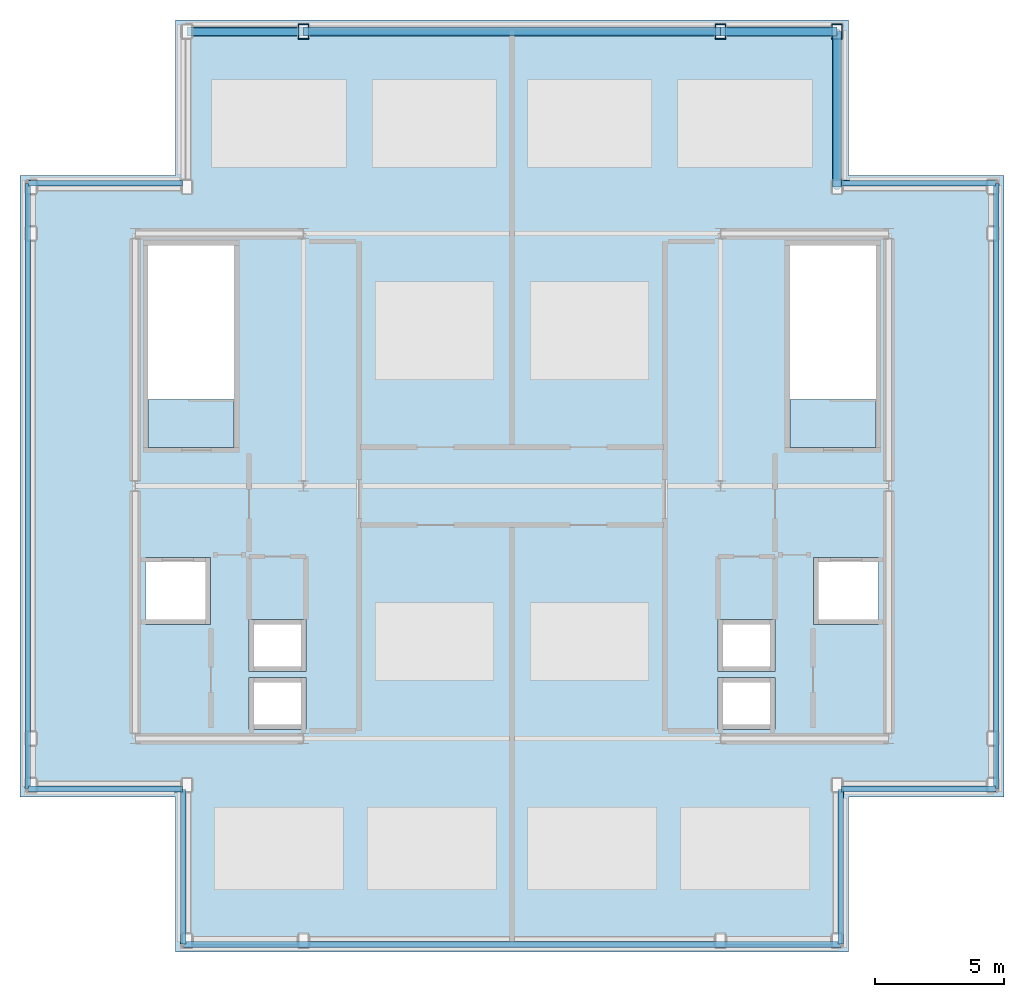
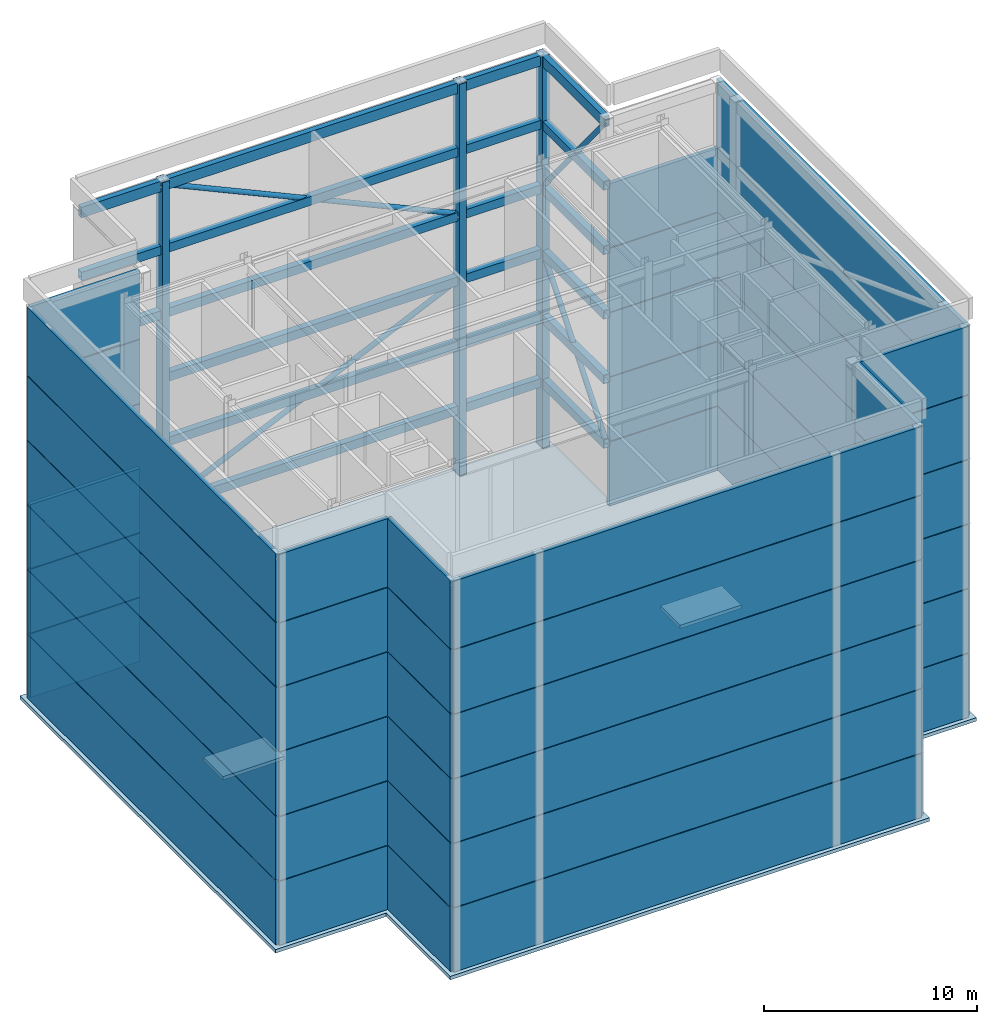
# One storey, part 3 of 8: 53 plates, 21 beams, 7 members, 3 slabs.
"""IFC4 building model written with IfcOpenShell, lengths in metres."""

from ifc_helpers import new_model, si_unit, direction, frame, origin, origin_2d, place, context, subcontext, project, spatial, polyline, rectangle, hollow_rectangle, hollow_circle, outline, extrude, material, layer, layer_set, material_profile, profile_set, type_object, element, save


model = new_model("IFC4")

# Units and contexts
model_context = context("Model", 3, precision=1e-05, world=origin(), true_north=direction((0.0, 1.0)))
body_context = subcontext(model_context, "Body", "Model", "MODEL_VIEW")
ifc_project = project(units=[si_unit("LENGTHUNIT", "METRE"), si_unit("AREAUNIT", "SQUARE_METRE"), si_unit("VOLUMEUNIT", "CUBIC_METRE"), si_unit("PLANEANGLEUNIT", "RADIAN"), si_unit("MASSUNIT", "GRAM", prefix="KILO")], contexts=[model_context])

# Site, building, storey
site_placement = place(None, origin())
site = spatial("IfcSite", under=ifc_project, at=site_placement, CompositionType="ELEMENT")
building_placement = place(site_placement, origin())
building = spatial("IfcBuilding", under=site, at=building_placement, Name="Brelmoor Portico Tower", CompositionType="ELEMENT")
storey_placement = place(building_placement, frame((0.0, 0.0, 289.199951171875)))
storey = spatial("IfcBuildingStorey", under=building, at=storey_placement, Name="L76", CompositionType="ELEMENT", Elevation=289.199951171875)

# Members
ifc_material_1 = material(Name="Steel Q355B", Category="steel")
ifc_material_profile_1 = material_profile(ifc_material_1, hollow_circle(Radius=0.136474609375, WallThickness=0.011962890625, at=origin_2d()), Name="CHS 273x12")
ifc_profile_set_1 = profile_set([ifc_material_profile_1], Name="Steel Q355B")
member_type_1 = type_object("IfcMemberType", Name="CROWN FRAME BRACE", PredefinedType="BRACE", material=ifc_profile_set_1)
member_1_placement = place(storey_placement, frame((-8.050048828125, 17.550048828125, 3.699951171875), z_axis=(0.908616793884, 0.0, 0.417630844015), x_axis=(0.0, 1.0, 0.0)))
element("IfcMember", 1, at=member_1_placement, inside=storey, type_object=member_type_1, Name="CROWN FRAME Wind Brace 06A", PredefinedType="BRACE", context=body_context, shape_type="SweptSolid", body=[
    extrude(hollow_circle(Radius=0.136474609375, WallThickness=0.011962890625, at=origin_2d()), origin(), (0.0, 0.0, 1.0), 17.71923828125),
])
member_2_placement = place(storey_placement, frame((8.050048828125, 17.550048828125, 14.800048828125), z_axis=(-0.909686870958, 0.0, 0.415294831181), x_axis=(0.0, -1.0, 0.0)))
element("IfcMember", 2, at=member_2_placement, inside=storey, type_object=member_type_1, Name="CROWN FRAME Wind Brace 06B", PredefinedType="BRACE", context=body_context, shape_type="SweptSolid", body=[
    extrude(hollow_circle(Radius=0.136474609375, WallThickness=0.011962890625, at=origin_2d()), origin(), (0.0, 0.0, 1.0), 17.698486328125),
])
member_3_placement = place(storey_placement, frame((12.550048828125, 11.550048828125, 3.699951171875), z_axis=(0.0, 0.629794436495, 0.776761847518), x_axis=(-1.0, 0.0, 0.0)))
element("IfcMember", 3, at=member_3_placement, inside=storey, type_object=member_type_1, Name="CROWN FRAME Wind Brace 11A", PredefinedType="BRACE", context=body_context, shape_type="SweptSolid", body=[
    extrude(hollow_circle(Radius=0.136474609375, WallThickness=0.011962890625, at=origin_2d()), origin(), (0.0, 0.0, 1.0), 9.52685546875),
])
member_4_placement = place(storey_placement, frame((12.550048828125, 17.550048828125, 14.800048828125), z_axis=(0.0, -0.632371447832, 0.774665316099), x_axis=(1.0, 0.0, 0.0)))
element("IfcMember", 4, at=member_4_placement, inside=storey, type_object=member_type_1, Name="CROWN FRAME Wind Brace 11B", PredefinedType="BRACE", context=body_context, shape_type="SweptSolid", body=[
    extrude(hollow_circle(Radius=0.136474609375, WallThickness=0.011962890625, at=origin_2d()), origin(), (0.0, 0.0, 1.0), 9.488037109375),
])
ifc_material_profile_2 = material_profile(ifc_material_1, hollow_rectangle(XDim=0.39990234375, YDim=0.60009765625, WallThickness=0.02392578125, at=origin_2d()), Name="RHS 400x600x24")
ifc_profile_set_2 = profile_set([ifc_material_profile_2], Name="Steel Q355B")
member_type_2 = type_object("IfcMemberType", Name="CROWN FRAME POST", PredefinedType="POST", material=ifc_profile_set_2)
for number, where, z_axis, x_axis, name in (
    (5, (-8.050048828125, 17.550048828125, 0.0), (0.0, 0.0, 1.0), (1.0, 0.0, 0.0), "CROWN FRAME Vertical Post PN02"),
    (6, (8.050048828125, 17.550048828125, 0.0), (0.0, 0.0, 1.0), (1.0, 0.0, 0.0), "CROWN FRAME Vertical Post PN03"),
    (7, (12.550048828125, 17.550048828125, 0.0), (0.0, 0.0, 1.0), (1.0, 0.0, 0.0), "CROWN FRAME Vertical Post PN04"),
):
    element("IfcMember", number, at=place(storey_placement, frame(where, z_axis=z_axis, x_axis=x_axis)), inside=storey, type_object=member_type_2, Name=name, PredefinedType="POST", context=body_context, shape_type="SweptSolid", body=[
        extrude(hollow_rectangle(XDim=0.39990234375, YDim=0.60009765625, WallThickness=0.02392578125, at=origin_2d()), origin(), (0.0, 0.0, 1.0), 22.449951171875),
    ])

# Beams
ifc_material_profile_3 = material_profile(ifc_material_1, hollow_rectangle(XDim=0.35009765625, YDim=0.5, WallThickness=0.02001953125, at=origin_2d()), Name="RHS 350x500x20")
ifc_profile_set_3 = profile_set([ifc_material_profile_3], Name="Steel Q355B")
beam_type_1 = type_object("IfcBeamType", Name="CROWN FRAME RING", PredefinedType="SPANDREL", material=ifc_profile_set_3)
beam_1_placement = place(storey_placement, frame((-8.050048828125, 17.550048828125, 3.699951171875), z_axis=(1.0, 0.0, 0.0), x_axis=(0.0, 1.0, 0.0)))
element("IfcBeam", 8, at=beam_1_placement, inside=storey, type_object=beam_type_1, Name="CROWN FRAME Ring Beam Tier 1-09", PredefinedType="SPANDREL", context=body_context, shape_type="SweptSolid", body=[
    extrude(hollow_rectangle(XDim=0.35009765625, YDim=0.5, WallThickness=0.02001953125, at=origin_2d()), origin(), (0.0, 0.0, 1.0), 16.10009765625),
])
beam_2_placement = place(storey_placement, frame((8.050048828125, 17.550048828125, 3.699951171875), z_axis=(1.0, 0.0, 0.0), x_axis=(0.0, 1.0, 0.0)))
element("IfcBeam", 9, at=beam_2_placement, inside=storey, type_object=beam_type_1, Name="CROWN FRAME Ring Beam Tier 1-10", PredefinedType="SPANDREL", context=body_context, shape_type="SweptSolid", body=[
    extrude(hollow_rectangle(XDim=0.35009765625, YDim=0.5, WallThickness=0.02001953125, at=origin_2d()), origin(), (0.0, 0.0, 1.0), 4.5),
])
beam_3_placement = place(storey_placement, frame((12.550048828125, 11.550048828125, 3.699951171875), z_axis=(0.0, 1.0, 0.0), x_axis=(-1.0, 0.0, 0.0)))
element("IfcBeam", 10, at=beam_3_placement, inside=storey, type_object=beam_type_1, Name="CROWN FRAME Ring Beam Tier 1-17", PredefinedType="SPANDREL", context=body_context, shape_type="SweptSolid", body=[
    extrude(hollow_rectangle(XDim=0.35009765625, YDim=0.5, WallThickness=0.02001953125, at=origin_2d()), origin(), (0.0, 0.0, 1.0), 6.0),
])
beam_4_placement = place(storey_placement, frame((-8.050048828125, 17.550048828125, 7.400146484375), z_axis=(1.0, 0.0, 0.0), x_axis=(0.0, 1.0, 0.0)))
element("IfcBeam", 11, at=beam_4_placement, inside=storey, type_object=beam_type_1, Name="CROWN FRAME Ring Beam Tier 2-09", PredefinedType="SPANDREL", context=body_context, shape_type="SweptSolid", body=[
    extrude(hollow_rectangle(XDim=0.35009765625, YDim=0.5, WallThickness=0.02001953125, at=origin_2d()), origin(), (0.0, 0.0, 1.0), 16.10009765625),
])
beam_5_placement = place(storey_placement, frame((8.050048828125, 17.550048828125, 7.400146484375), z_axis=(1.0, 0.0, 0.0), x_axis=(0.0, 1.0, 0.0)))
element("IfcBeam", 12, at=beam_5_placement, inside=storey, type_object=beam_type_1, Name="CROWN FRAME Ring Beam Tier 2-10", PredefinedType="SPANDREL", context=body_context, shape_type="SweptSolid", body=[
    extrude(hollow_rectangle(XDim=0.35009765625, YDim=0.5, WallThickness=0.02001953125, at=origin_2d()), origin(), (0.0, 0.0, 1.0), 4.5),
])
beam_6_placement = place(storey_placement, frame((12.550048828125, 11.550048828125, 7.400146484375), z_axis=(0.0, 1.0, 0.0), x_axis=(-1.0, 0.0, 0.0)))
element("IfcBeam", 13, at=beam_6_placement, inside=storey, type_object=beam_type_1, Name="CROWN FRAME Ring Beam Tier 2-17", PredefinedType="SPANDREL", context=body_context, shape_type="SweptSolid", body=[
    extrude(hollow_rectangle(XDim=0.35009765625, YDim=0.5, WallThickness=0.02001953125, at=origin_2d()), origin(), (0.0, 0.0, 1.0), 6.0),
])
beam_7_placement = place(storey_placement, frame((-8.050048828125, 17.550048828125, 11.10009765625), z_axis=(1.0, 0.0, 0.0), x_axis=(0.0, 1.0, 0.0)))
element("IfcBeam", 14, at=beam_7_placement, inside=storey, type_object=beam_type_1, Name="CROWN FRAME Ring Beam Tier 3-09", PredefinedType="SPANDREL", context=body_context, shape_type="SweptSolid", body=[
    extrude(hollow_rectangle(XDim=0.35009765625, YDim=0.5, WallThickness=0.02001953125, at=origin_2d()), origin(), (0.0, 0.0, 1.0), 16.10009765625),
])
beam_8_placement = place(storey_placement, frame((8.050048828125, 17.550048828125, 11.10009765625), z_axis=(1.0, 0.0, 0.0), x_axis=(0.0, 1.0, 0.0)))
element("IfcBeam", 15, at=beam_8_placement, inside=storey, type_object=beam_type_1, Name="CROWN FRAME Ring Beam Tier 3-10", PredefinedType="SPANDREL", context=body_context, shape_type="SweptSolid", body=[
    extrude(hollow_rectangle(XDim=0.35009765625, YDim=0.5, WallThickness=0.02001953125, at=origin_2d()), origin(), (0.0, 0.0, 1.0), 4.5),
])
beam_9_placement = place(storey_placement, frame((12.550048828125, 11.550048828125, 11.10009765625), z_axis=(0.0, 1.0, 0.0), x_axis=(-1.0, 0.0, 0.0)))
element("IfcBeam", 16, at=beam_9_placement, inside=storey, type_object=beam_type_1, Name="CROWN FRAME Ring Beam Tier 3-17", PredefinedType="SPANDREL", context=body_context, shape_type="SweptSolid", body=[
    extrude(hollow_rectangle(XDim=0.35009765625, YDim=0.5, WallThickness=0.02001953125, at=origin_2d()), origin(), (0.0, 0.0, 1.0), 6.0),
])
beam_10_placement = place(storey_placement, frame((-12.550048828125, 17.550048828125, 14.800048828125), z_axis=(1.0, 0.0, 0.0), x_axis=(0.0, 1.0, 0.0)))
element("IfcBeam", 17, at=beam_10_placement, inside=storey, type_object=beam_type_1, Name="CROWN FRAME Ring Beam Tier 4-08", PredefinedType="SPANDREL", context=body_context, shape_type="SweptSolid", body=[
    extrude(hollow_rectangle(XDim=0.35009765625, YDim=0.5, WallThickness=0.02001953125, at=origin_2d()), origin(), (0.0, 0.0, 1.0), 4.5),
])
beam_11_placement = place(storey_placement, frame((-8.050048828125, 17.550048828125, 14.800048828125), z_axis=(1.0, 0.0, 0.0), x_axis=(0.0, 1.0, 0.0)))
element("IfcBeam", 18, at=beam_11_placement, inside=storey, type_object=beam_type_1, Name="CROWN FRAME Ring Beam Tier 4-09", PredefinedType="SPANDREL", context=body_context, shape_type="SweptSolid", body=[
    extrude(hollow_rectangle(XDim=0.35009765625, YDim=0.5, WallThickness=0.02001953125, at=origin_2d()), origin(), (0.0, 0.0, 1.0), 16.10009765625),
])
beam_12_placement = place(storey_placement, frame((8.050048828125, 17.550048828125, 14.800048828125), z_axis=(1.0, 0.0, 0.0), x_axis=(0.0, 1.0, 0.0)))
element("IfcBeam", 19, at=beam_12_placement, inside=storey, type_object=beam_type_1, Name="CROWN FRAME Ring Beam Tier 4-10", PredefinedType="SPANDREL", context=body_context, shape_type="SweptSolid", body=[
    extrude(hollow_rectangle(XDim=0.35009765625, YDim=0.5, WallThickness=0.02001953125, at=origin_2d()), origin(), (0.0, 0.0, 1.0), 4.5),
])
beam_13_placement = place(storey_placement, frame((12.550048828125, 11.550048828125, 14.800048828125), z_axis=(0.0, 1.0, 0.0), x_axis=(-1.0, 0.0, 0.0)))
element("IfcBeam", 20, at=beam_13_placement, inside=storey, type_object=beam_type_1, Name="CROWN FRAME Ring Beam Tier 4-17", PredefinedType="SPANDREL", context=body_context, shape_type="SweptSolid", body=[
    extrude(hollow_rectangle(XDim=0.35009765625, YDim=0.5, WallThickness=0.02001953125, at=origin_2d()), origin(), (0.0, 0.0, 1.0), 6.0),
])
beam_14_placement = place(storey_placement, frame((-12.550048828125, 17.550048828125, 18.5), z_axis=(1.0, 0.0, 0.0), x_axis=(0.0, 1.0, 0.0)))
element("IfcBeam", 21, at=beam_14_placement, inside=storey, type_object=beam_type_1, Name="CROWN FRAME Ring Beam Tier 5-08", PredefinedType="SPANDREL", context=body_context, shape_type="SweptSolid", body=[
    extrude(hollow_rectangle(XDim=0.35009765625, YDim=0.5, WallThickness=0.02001953125, at=origin_2d()), origin(), (0.0, 0.0, 1.0), 4.5),
])
beam_15_placement = place(storey_placement, frame((-8.050048828125, 17.550048828125, 18.5), z_axis=(1.0, 0.0, 0.0), x_axis=(0.0, 1.0, 0.0)))
element("IfcBeam", 22, at=beam_15_placement, inside=storey, type_object=beam_type_1, Name="CROWN FRAME Ring Beam Tier 5-09", PredefinedType="SPANDREL", context=body_context, shape_type="SweptSolid", body=[
    extrude(hollow_rectangle(XDim=0.35009765625, YDim=0.5, WallThickness=0.02001953125, at=origin_2d()), origin(), (0.0, 0.0, 1.0), 16.10009765625),
])
beam_16_placement = place(storey_placement, frame((8.050048828125, 17.550048828125, 18.5), z_axis=(1.0, 0.0, 0.0), x_axis=(0.0, 1.0, 0.0)))
element("IfcBeam", 23, at=beam_16_placement, inside=storey, type_object=beam_type_1, Name="CROWN FRAME Ring Beam Tier 5-10", PredefinedType="SPANDREL", context=body_context, shape_type="SweptSolid", body=[
    extrude(hollow_rectangle(XDim=0.35009765625, YDim=0.5, WallThickness=0.02001953125, at=origin_2d()), origin(), (0.0, 0.0, 1.0), 4.5),
])
beam_17_placement = place(storey_placement, frame((12.550048828125, 11.550048828125, 18.5), z_axis=(0.0, 1.0, 0.0), x_axis=(-1.0, 0.0, 0.0)))
element("IfcBeam", 24, at=beam_17_placement, inside=storey, type_object=beam_type_1, Name="CROWN FRAME Ring Beam Tier 5-17", PredefinedType="SPANDREL", context=body_context, shape_type="SweptSolid", body=[
    extrude(hollow_rectangle(XDim=0.35009765625, YDim=0.5, WallThickness=0.02001953125, at=origin_2d()), origin(), (0.0, 0.0, 1.0), 6.0),
])
ifc_material_profile_4 = material_profile(ifc_material_1, hollow_rectangle(XDim=0.300048828125, YDim=0.60009765625, WallThickness=0.02001953125, at=origin_2d()), Name="RHS 300x600x20")
ifc_profile_set_4 = profile_set([ifc_material_profile_4], Name="Steel Q355B")
beam_type_2 = type_object("IfcBeamType", Name="CROWN FRAME TIE", PredefinedType="BEAM", material=ifc_profile_set_4)
beam_18_placement = place(storey_placement, frame((-12.550048828125, 17.550048828125, 22.150146484375), z_axis=(1.0, 0.0, 0.0), x_axis=(0.0, 1.0, 0.0)))
element("IfcBeam", 25, at=beam_18_placement, inside=storey, type_object=beam_type_2, Name="CROWN FRAME Ring Beam Tier 6-08", PredefinedType="BEAM", context=body_context, shape_type="SweptSolid", body=[
    extrude(hollow_rectangle(XDim=0.300048828125, YDim=0.60009765625, WallThickness=0.02001953125, at=origin_2d()), origin(), (0.0, 0.0, 1.0), 4.5),
])
beam_19_placement = place(storey_placement, frame((-8.050048828125, 17.550048828125, 22.150146484375), z_axis=(1.0, 0.0, 0.0), x_axis=(0.0, 1.0, 0.0)))
element("IfcBeam", 26, at=beam_19_placement, inside=storey, type_object=beam_type_2, Name="CROWN FRAME Ring Beam Tier 6-09", PredefinedType="BEAM", context=body_context, shape_type="SweptSolid", body=[
    extrude(hollow_rectangle(XDim=0.300048828125, YDim=0.60009765625, WallThickness=0.02001953125, at=origin_2d()), origin(), (0.0, 0.0, 1.0), 16.10009765625),
])
beam_20_placement = place(storey_placement, frame((8.050048828125, 17.550048828125, 22.150146484375), z_axis=(1.0, 0.0, 0.0), x_axis=(0.0, 1.0, 0.0)))
element("IfcBeam", 27, at=beam_20_placement, inside=storey, type_object=beam_type_2, Name="CROWN FRAME Ring Beam Tier 6-10", PredefinedType="BEAM", context=body_context, shape_type="SweptSolid", body=[
    extrude(hollow_rectangle(XDim=0.300048828125, YDim=0.60009765625, WallThickness=0.02001953125, at=origin_2d()), origin(), (0.0, 0.0, 1.0), 4.5),
])
beam_21_placement = place(storey_placement, frame((12.550048828125, 11.550048828125, 22.150146484375), z_axis=(0.0, 1.0, 0.0), x_axis=(-1.0, 0.0, 0.0)))
element("IfcBeam", 28, at=beam_21_placement, inside=storey, type_object=beam_type_2, Name="CROWN FRAME Ring Beam Tier 6-17", PredefinedType="BEAM", context=body_context, shape_type="SweptSolid", body=[
    extrude(hollow_rectangle(XDim=0.300048828125, YDim=0.60009765625, WallThickness=0.02001953125, at=origin_2d()), origin(), (0.0, 0.0, 1.0), 6.0),
])

# Plates
ifc_material_2 = material(Name="Pale Champagne Anodised Aluminium Crown Screen", Category="aluminium")
ifc_layer_1 = layer(ifc_material_2, 0.06494140625)
ifc_layer_set_1 = layer_set([ifc_layer_1], Name="Pale Champagne Anodised Aluminium Crown Screen")
plate_type = type_object("IfcPlateType", Name="PT-CROWN-LOUVRE", PredefinedType="SHEET", material=ifc_layer_set_1)
plate_1_placement = place(storey_placement, frame((0.0, -17.699951171875, 0.02001953125), z_axis=(0.0, 0.0, 1.0), x_axis=(1.0, 0.0, 0.0)))
element("IfcPlate", 29, at=plate_1_placement, inside=storey, type_object=plate_type, Name="CROWN LOUVRE SCREEN Plate Tier 1 S", PredefinedType="SHEET", context=body_context, shape_type="SweptSolid", body=[
    extrude(rectangle(XDim=25.360107421875, YDim=0.219970703125, at=origin_2d()), origin(), (0.0, 0.0, 1.0), 3.659912109375),
])
for number, where, z_axis, x_axis, name in (
    (30, (-18.699951171875, 0.0, 0.02001953125), (0.0, 0.0, 1.0), (0.0, 1.0, 0.0), "CROWN LOUVRE SCREEN Plate Tier 1 W"),
    (31, (18.699951171875, 0.0, 0.02001953125), (0.0, 0.0, 1.0), (0.0, 1.0, 0.0), "CROWN LOUVRE SCREEN Plate Tier 1 E"),
):
    element("IfcPlate", number, at=place(storey_placement, frame(where, z_axis=z_axis, x_axis=x_axis)), inside=storey, type_object=plate_type, Name=name, PredefinedType="SHEET", context=body_context, shape_type="SweptSolid", body=[
        extrude(rectangle(XDim=23.360107421875, YDim=0.219970703125, at=origin_2d()), origin(), (0.0, 0.0, 1.0), 3.659912109375),
    ])
for number, where, z_axis, x_axis, name in (
    (32, (-12.699951171875, -14.699951171875, 0.02001953125), (0.0, 0.0, 1.0), (0.0, 1.0, 0.0), "CROWN LOUVRE SCREEN Plate Tier 1 SW1"),
    (33, (-15.699951171875, -11.699951171875, 0.02001953125), (0.0, 0.0, 1.0), (1.0, 0.0, 0.0), "CROWN LOUVRE SCREEN Plate Tier 1 SW2"),
    (34, (12.699951171875, -14.699951171875, 0.02001953125), (0.0, 0.0, 1.0), (0.0, 1.0, 0.0), "CROWN LOUVRE SCREEN Plate Tier 1 SE1"),
    (35, (15.699951171875, -11.699951171875, 0.02001953125), (0.0, 0.0, 1.0), (1.0, 0.0, 0.0), "CROWN LOUVRE SCREEN Plate Tier 1 SE2"),
    (36, (-15.699951171875, 11.699951171875, 0.02001953125), (0.0, 0.0, 1.0), (1.0, 0.0, 0.0), "CROWN LOUVRE SCREEN Plate Tier 1 NW2"),
    (37, (15.699951171875, 11.699951171875, 0.02001953125), (0.0, 0.0, 1.0), (1.0, 0.0, 0.0), "CROWN LOUVRE SCREEN Plate Tier 1 NE2"),
):
    element("IfcPlate", number, at=place(storey_placement, frame(where, z_axis=z_axis, x_axis=x_axis)), inside=storey, type_object=plate_type, Name=name, PredefinedType="SHEET", context=body_context, shape_type="SweptSolid", body=[
        extrude(rectangle(XDim=5.9599609375, YDim=0.219970703125, at=origin_2d()), origin(), (0.0, 0.0, 1.0), 3.659912109375),
    ])
plate_2_placement = place(storey_placement, frame((0.0, -17.699951171875, 3.72021484375), z_axis=(0.0, 0.0, 1.0), x_axis=(1.0, 0.0, 0.0)))
element("IfcPlate", 38, at=plate_2_placement, inside=storey, type_object=plate_type, Name="CROWN LOUVRE SCREEN Plate Tier 2 S", PredefinedType="SHEET", context=body_context, shape_type="SweptSolid", body=[
    extrude(rectangle(XDim=25.360107421875, YDim=0.219970703125, at=origin_2d()), origin(), (0.0, 0.0, 1.0), 3.659912109375),
])
for number, where, z_axis, x_axis, name in (
    (39, (-18.699951171875, 0.0, 3.72021484375), (0.0, 0.0, 1.0), (0.0, 1.0, 0.0), "CROWN LOUVRE SCREEN Plate Tier 2 W"),
    (40, (18.699951171875, 0.0, 3.72021484375), (0.0, 0.0, 1.0), (0.0, 1.0, 0.0), "CROWN LOUVRE SCREEN Plate Tier 2 E"),
):
    element("IfcPlate", number, at=place(storey_placement, frame(where, z_axis=z_axis, x_axis=x_axis)), inside=storey, type_object=plate_type, Name=name, PredefinedType="SHEET", context=body_context, shape_type="SweptSolid", body=[
        extrude(rectangle(XDim=23.360107421875, YDim=0.219970703125, at=origin_2d()), origin(), (0.0, 0.0, 1.0), 3.659912109375),
    ])
for number, where, z_axis, x_axis, name in (
    (41, (-12.699951171875, -14.699951171875, 3.72021484375), (0.0, 0.0, 1.0), (0.0, 1.0, 0.0), "CROWN LOUVRE SCREEN Plate Tier 2 SW1"),
    (42, (-15.699951171875, -11.699951171875, 3.72021484375), (0.0, 0.0, 1.0), (1.0, 0.0, 0.0), "CROWN LOUVRE SCREEN Plate Tier 2 SW2"),
    (43, (12.699951171875, -14.699951171875, 3.72021484375), (0.0, 0.0, 1.0), (0.0, 1.0, 0.0), "CROWN LOUVRE SCREEN Plate Tier 2 SE1"),
    (44, (15.699951171875, -11.699951171875, 3.72021484375), (0.0, 0.0, 1.0), (1.0, 0.0, 0.0), "CROWN LOUVRE SCREEN Plate Tier 2 SE2"),
    (45, (-15.699951171875, 11.699951171875, 3.72021484375), (0.0, 0.0, 1.0), (1.0, 0.0, 0.0), "CROWN LOUVRE SCREEN Plate Tier 2 NW2"),
    (46, (15.699951171875, 11.699951171875, 3.72021484375), (0.0, 0.0, 1.0), (1.0, 0.0, 0.0), "CROWN LOUVRE SCREEN Plate Tier 2 NE2"),
):
    element("IfcPlate", number, at=place(storey_placement, frame(where, z_axis=z_axis, x_axis=x_axis)), inside=storey, type_object=plate_type, Name=name, PredefinedType="SHEET", context=body_context, shape_type="SweptSolid", body=[
        extrude(rectangle(XDim=5.9599609375, YDim=0.219970703125, at=origin_2d()), origin(), (0.0, 0.0, 1.0), 3.659912109375),
    ])
plate_3_placement = place(storey_placement, frame((0.0, -17.699951171875, 7.419921875), z_axis=(0.0, 0.0, 1.0), x_axis=(1.0, 0.0, 0.0)))
element("IfcPlate", 47, at=plate_3_placement, inside=storey, type_object=plate_type, Name="CROWN LOUVRE SCREEN Plate Tier 3 S", PredefinedType="SHEET", context=body_context, shape_type="SweptSolid", body=[
    extrude(rectangle(XDim=25.360107421875, YDim=0.219970703125, at=origin_2d()), origin(), (0.0, 0.0, 1.0), 3.659912109375),
])
for number, where, z_axis, x_axis, name in (
    (48, (-18.699951171875, 0.0, 7.419921875), (0.0, 0.0, 1.0), (0.0, 1.0, 0.0), "CROWN LOUVRE SCREEN Plate Tier 3 W"),
    (49, (18.699951171875, 0.0, 7.419921875), (0.0, 0.0, 1.0), (0.0, 1.0, 0.0), "CROWN LOUVRE SCREEN Plate Tier 3 E"),
):
    element("IfcPlate", number, at=place(storey_placement, frame(where, z_axis=z_axis, x_axis=x_axis)), inside=storey, type_object=plate_type, Name=name, PredefinedType="SHEET", context=body_context, shape_type="SweptSolid", body=[
        extrude(rectangle(XDim=23.360107421875, YDim=0.219970703125, at=origin_2d()), origin(), (0.0, 0.0, 1.0), 3.659912109375),
    ])
for number, where, z_axis, x_axis, name in (
    (50, (-12.699951171875, -14.699951171875, 7.419921875), (0.0, 0.0, 1.0), (0.0, 1.0, 0.0), "CROWN LOUVRE SCREEN Plate Tier 3 SW1"),
    (51, (-15.699951171875, -11.699951171875, 7.419921875), (0.0, 0.0, 1.0), (1.0, 0.0, 0.0), "CROWN LOUVRE SCREEN Plate Tier 3 SW2"),
    (52, (12.699951171875, -14.699951171875, 7.419921875), (0.0, 0.0, 1.0), (0.0, 1.0, 0.0), "CROWN LOUVRE SCREEN Plate Tier 3 SE1"),
    (53, (15.699951171875, -11.699951171875, 7.419921875), (0.0, 0.0, 1.0), (1.0, 0.0, 0.0), "CROWN LOUVRE SCREEN Plate Tier 3 SE2"),
    (54, (-15.699951171875, 11.699951171875, 7.419921875), (0.0, 0.0, 1.0), (1.0, 0.0, 0.0), "CROWN LOUVRE SCREEN Plate Tier 3 NW2"),
    (55, (15.699951171875, 11.699951171875, 7.419921875), (0.0, 0.0, 1.0), (1.0, 0.0, 0.0), "CROWN LOUVRE SCREEN Plate Tier 3 NE2"),
):
    element("IfcPlate", number, at=place(storey_placement, frame(where, z_axis=z_axis, x_axis=x_axis)), inside=storey, type_object=plate_type, Name=name, PredefinedType="SHEET", context=body_context, shape_type="SweptSolid", body=[
        extrude(rectangle(XDim=5.9599609375, YDim=0.219970703125, at=origin_2d()), origin(), (0.0, 0.0, 1.0), 3.659912109375),
    ])
plate_4_placement = place(storey_placement, frame((0.0, -17.699951171875, 11.1201171875), z_axis=(0.0, 0.0, 1.0), x_axis=(1.0, 0.0, 0.0)))
element("IfcPlate", 56, at=plate_4_placement, inside=storey, type_object=plate_type, Name="CROWN LOUVRE SCREEN Plate Tier 4 S", PredefinedType="SHEET", context=body_context, shape_type="SweptSolid", body=[
    extrude(rectangle(XDim=25.360107421875, YDim=0.219970703125, at=origin_2d()), origin(), (0.0, 0.0, 1.0), 3.659912109375),
])
for number, where, z_axis, x_axis, name in (
    (57, (-18.699951171875, 0.0, 11.1201171875), (0.0, 0.0, 1.0), (0.0, 1.0, 0.0), "CROWN LOUVRE SCREEN Plate Tier 4 W"),
    (58, (18.699951171875, 0.0, 11.1201171875), (0.0, 0.0, 1.0), (0.0, 1.0, 0.0), "CROWN LOUVRE SCREEN Plate Tier 4 E"),
):
    element("IfcPlate", number, at=place(storey_placement, frame(where, z_axis=z_axis, x_axis=x_axis)), inside=storey, type_object=plate_type, Name=name, PredefinedType="SHEET", context=body_context, shape_type="SweptSolid", body=[
        extrude(rectangle(XDim=23.360107421875, YDim=0.219970703125, at=origin_2d()), origin(), (0.0, 0.0, 1.0), 3.659912109375),
    ])
for number, where, z_axis, x_axis, name in (
    (59, (-12.699951171875, -14.699951171875, 11.1201171875), (0.0, 0.0, 1.0), (0.0, 1.0, 0.0), "CROWN LOUVRE SCREEN Plate Tier 4 SW1"),
    (60, (-15.699951171875, -11.699951171875, 11.1201171875), (0.0, 0.0, 1.0), (1.0, 0.0, 0.0), "CROWN LOUVRE SCREEN Plate Tier 4 SW2"),
    (61, (12.699951171875, -14.699951171875, 11.1201171875), (0.0, 0.0, 1.0), (0.0, 1.0, 0.0), "CROWN LOUVRE SCREEN Plate Tier 4 SE1"),
    (62, (15.699951171875, -11.699951171875, 11.1201171875), (0.0, 0.0, 1.0), (1.0, 0.0, 0.0), "CROWN LOUVRE SCREEN Plate Tier 4 SE2"),
    (63, (-15.699951171875, 11.699951171875, 11.1201171875), (0.0, 0.0, 1.0), (1.0, 0.0, 0.0), "CROWN LOUVRE SCREEN Plate Tier 4 NW2"),
    (64, (15.699951171875, 11.699951171875, 11.1201171875), (0.0, 0.0, 1.0), (1.0, 0.0, 0.0), "CROWN LOUVRE SCREEN Plate Tier 4 NE2"),
):
    element("IfcPlate", number, at=place(storey_placement, frame(where, z_axis=z_axis, x_axis=x_axis)), inside=storey, type_object=plate_type, Name=name, PredefinedType="SHEET", context=body_context, shape_type="SweptSolid", body=[
        extrude(rectangle(XDim=5.9599609375, YDim=0.219970703125, at=origin_2d()), origin(), (0.0, 0.0, 1.0), 3.659912109375),
    ])
plate_5_placement = place(storey_placement, frame((0.0, -17.699951171875, 14.8203125), z_axis=(0.0, 0.0, 1.0), x_axis=(1.0, 0.0, 0.0)))
element("IfcPlate", 65, at=plate_5_placement, inside=storey, type_object=plate_type, Name="CROWN LOUVRE SCREEN Plate Tier 5 S", PredefinedType="SHEET", context=body_context, shape_type="SweptSolid", body=[
    extrude(rectangle(XDim=25.360107421875, YDim=0.219970703125, at=origin_2d()), origin(), (0.0, 0.0, 1.0), 3.659912109375),
])
for number, where, z_axis, x_axis, name in (
    (66, (-18.699951171875, 0.0, 14.8203125), (0.0, 0.0, 1.0), (0.0, 1.0, 0.0), "CROWN LOUVRE SCREEN Plate Tier 5 W"),
    (67, (18.699951171875, 0.0, 14.8203125), (0.0, 0.0, 1.0), (0.0, 1.0, 0.0), "CROWN LOUVRE SCREEN Plate Tier 5 E"),
):
    element("IfcPlate", number, at=place(storey_placement, frame(where, z_axis=z_axis, x_axis=x_axis)), inside=storey, type_object=plate_type, Name=name, PredefinedType="SHEET", context=body_context, shape_type="SweptSolid", body=[
        extrude(rectangle(XDim=23.360107421875, YDim=0.219970703125, at=origin_2d()), origin(), (0.0, 0.0, 1.0), 3.659912109375),
    ])
for number, where, z_axis, x_axis, name in (
    (68, (-12.699951171875, -14.699951171875, 14.8203125), (0.0, 0.0, 1.0), (0.0, 1.0, 0.0), "CROWN LOUVRE SCREEN Plate Tier 5 SW1"),
    (69, (-15.699951171875, -11.699951171875, 14.8203125), (0.0, 0.0, 1.0), (1.0, 0.0, 0.0), "CROWN LOUVRE SCREEN Plate Tier 5 SW2"),
    (70, (12.699951171875, -14.699951171875, 14.8203125), (0.0, 0.0, 1.0), (0.0, 1.0, 0.0), "CROWN LOUVRE SCREEN Plate Tier 5 SE1"),
    (71, (15.699951171875, -11.699951171875, 14.8203125), (0.0, 0.0, 1.0), (1.0, 0.0, 0.0), "CROWN LOUVRE SCREEN Plate Tier 5 SE2"),
    (72, (-15.699951171875, 11.699951171875, 14.8203125), (0.0, 0.0, 1.0), (1.0, 0.0, 0.0), "CROWN LOUVRE SCREEN Plate Tier 5 NW2"),
    (73, (15.699951171875, 11.699951171875, 14.8203125), (0.0, 0.0, 1.0), (1.0, 0.0, 0.0), "CROWN LOUVRE SCREEN Plate Tier 5 NE2"),
):
    element("IfcPlate", number, at=place(storey_placement, frame(where, z_axis=z_axis, x_axis=x_axis)), inside=storey, type_object=plate_type, Name=name, PredefinedType="SHEET", context=body_context, shape_type="SweptSolid", body=[
        extrude(rectangle(XDim=5.9599609375, YDim=0.219970703125, at=origin_2d()), origin(), (0.0, 0.0, 1.0), 3.659912109375),
    ])
plate_6_placement = place(storey_placement, frame((0.0, -17.699951171875, 18.52001953125), z_axis=(0.0, 0.0, 1.0), x_axis=(1.0, 0.0, 0.0)))
element("IfcPlate", 74, at=plate_6_placement, inside=storey, type_object=plate_type, Name="CROWN LOUVRE SCREEN Plate Tier 6 S", PredefinedType="SHEET", context=body_context, shape_type="SweptSolid", body=[
    extrude(rectangle(XDim=25.360107421875, YDim=0.219970703125, at=origin_2d()), origin(), (0.0, 0.0, 1.0), 3.909912109375),
])
for number, where, z_axis, x_axis, name in (
    (75, (-18.699951171875, 0.0, 18.52001953125), (0.0, 0.0, 1.0), (0.0, 1.0, 0.0), "CROWN LOUVRE SCREEN Plate Tier 6 W"),
    (76, (18.699951171875, 0.0, 18.52001953125), (0.0, 0.0, 1.0), (0.0, 1.0, 0.0), "CROWN LOUVRE SCREEN Plate Tier 6 E"),
):
    element("IfcPlate", number, at=place(storey_placement, frame(where, z_axis=z_axis, x_axis=x_axis)), inside=storey, type_object=plate_type, Name=name, PredefinedType="SHEET", context=body_context, shape_type="SweptSolid", body=[
        extrude(rectangle(XDim=23.360107421875, YDim=0.219970703125, at=origin_2d()), origin(), (0.0, 0.0, 1.0), 3.909912109375),
    ])
for number, where, z_axis, x_axis, name in (
    (77, (-12.699951171875, -14.699951171875, 18.52001953125), (0.0, 0.0, 1.0), (0.0, 1.0, 0.0), "CROWN LOUVRE SCREEN Plate Tier 6 SW1"),
    (78, (-15.699951171875, -11.699951171875, 18.52001953125), (0.0, 0.0, 1.0), (1.0, 0.0, 0.0), "CROWN LOUVRE SCREEN Plate Tier 6 SW2"),
    (79, (12.699951171875, -14.699951171875, 18.52001953125), (0.0, 0.0, 1.0), (0.0, 1.0, 0.0), "CROWN LOUVRE SCREEN Plate Tier 6 SE1"),
    (80, (15.699951171875, -11.699951171875, 18.52001953125), (0.0, 0.0, 1.0), (1.0, 0.0, 0.0), "CROWN LOUVRE SCREEN Plate Tier 6 SE2"),
    (81, (-15.699951171875, 11.699951171875, 18.52001953125), (0.0, 0.0, 1.0), (1.0, 0.0, 0.0), "CROWN LOUVRE SCREEN Plate Tier 6 NW2"),
):
    element("IfcPlate", number, at=place(storey_placement, frame(where, z_axis=z_axis, x_axis=x_axis)), inside=storey, type_object=plate_type, Name=name, PredefinedType="SHEET", context=body_context, shape_type="SweptSolid", body=[
        extrude(rectangle(XDim=5.9599609375, YDim=0.219970703125, at=origin_2d()), origin(), (0.0, 0.0, 1.0), 3.909912109375),
    ])

# Slabs
ifc_material_3 = material(Name="Concrete C40", Category="concrete")
ifc_layer_2 = layer(ifc_material_3, 0.199951171875)
ifc_layer_set_2 = layer_set([ifc_layer_2], Name="Concrete C40")
slab_type_1 = type_object("IfcSlabType", Name="SL-FLOOR-200", PredefinedType="FLOOR", material=ifc_layer_set_2)
slab_1_placement = place(storey_placement, frame((0.0, 0.0, -0.199951171875)))
element("IfcSlab", 82, at=slab_1_placement, inside=storey, type_object=slab_type_1, Name="L76 Main Structural Floor Slab", PredefinedType="FLOOR", context=body_context, shape_type="SweptSolid", body=[
    extrude(outline(polyline([(-13.0, -18.0), (13.0, -18.0), (13.0, -12.0), (19.0, -12.0), (19.0, 12.0), (13.0, 12.0), (13.0, 18.0), (-13.0, 18.0), (-13.0, 12.0), (-19.0, 12.0), (-19.0, -12.0), (-13.0, -12.0), (-13.0, -18.0)]), holes=[polyline([(-10.72998046875, 1.5), (-10.72998046875, 9.300048828125), (-14.050048828125, 9.300048828125), (-14.050048828125, 1.5), (-10.72998046875, 1.5)]), polyline([(14.050048828125, 1.5), (14.050048828125, 9.300048828125), (10.72998046875, 9.300048828125), (10.72998046875, 1.5), (14.050048828125, 1.5)]), polyline([(-10.14990234375, -9.39990234375), (-7.949951171875, -9.39990234375), (-7.949951171875, -7.39990234375), (-10.14990234375, -7.39990234375), (-10.14990234375, -9.39990234375)]), polyline([(-10.14990234375, -7.14990234375), (-7.949951171875, -7.14990234375), (-7.949951171875, -5.14990234375), (-10.14990234375, -5.14990234375), (-10.14990234375, -7.14990234375)]), polyline([(7.949951171875, -9.39990234375), (10.14990234375, -9.39990234375), (10.14990234375, -7.39990234375), (7.949951171875, -7.39990234375), (7.949951171875, -9.39990234375)]), polyline([(7.949951171875, -7.14990234375), (10.14990234375, -7.14990234375), (10.14990234375, -5.14990234375), (7.949951171875, -5.14990234375), (7.949951171875, -7.14990234375)]), polyline([(-14.14990234375, -5.35009765625), (-11.64990234375, -5.35009765625), (-11.64990234375, -2.75), (-14.14990234375, -2.75), (-14.14990234375, -5.35009765625)]), polyline([(11.64990234375, -5.35009765625), (14.14990234375, -5.35009765625), (14.14990234375, -2.75), (11.64990234375, -2.75), (11.64990234375, -5.35009765625)])]), origin(), (0.0, 0.0, 1.0), 0.199951171875),
])
ifc_layer_3 = layer(ifc_material_3, 0.199951171875)
ifc_layer_set_3 = layer_set([ifc_layer_3], Name="Concrete C40")
slab_type_2 = type_object("IfcSlabType", Name="SL-STAIR-FL200", PredefinedType="LANDING", material=ifc_layer_set_3)
slab_2_placement = place(storey_placement, frame((0.0, 0.0, -0.199951171875)))
element("IfcSlab", 83, at=slab_2_placement, inside=storey, type_object=slab_type_2, Name="L76 ST-W Structural Floor Landing Slab", PredefinedType="LANDING", context=body_context, shape_type="SweptSolid", body=[
    extrude(outline(polyline([(-10.72998046875, 1.5), (-10.72998046875, 3.35009765625), (-14.050048828125, 3.35009765625), (-14.050048828125, 1.5), (-10.72998046875, 1.5)])), origin(), (0.0, 0.0, 1.0), 0.199951171875),
])
slab_3_placement = place(storey_placement, frame((0.0, 0.0, -0.199951171875)))
element("IfcSlab", 84, at=slab_3_placement, inside=storey, type_object=slab_type_2, Name="L76 ST-E Structural Floor Landing Slab", PredefinedType="LANDING", context=body_context, shape_type="SweptSolid", body=[
    extrude(outline(polyline([(14.050048828125, 1.5), (14.050048828125, 3.35009765625), (10.72998046875, 3.35009765625), (10.72998046875, 1.5), (14.050048828125, 1.5)])), origin(), (0.0, 0.0, 1.0), 0.199951171875),
])

save(model, "model.ifc")
